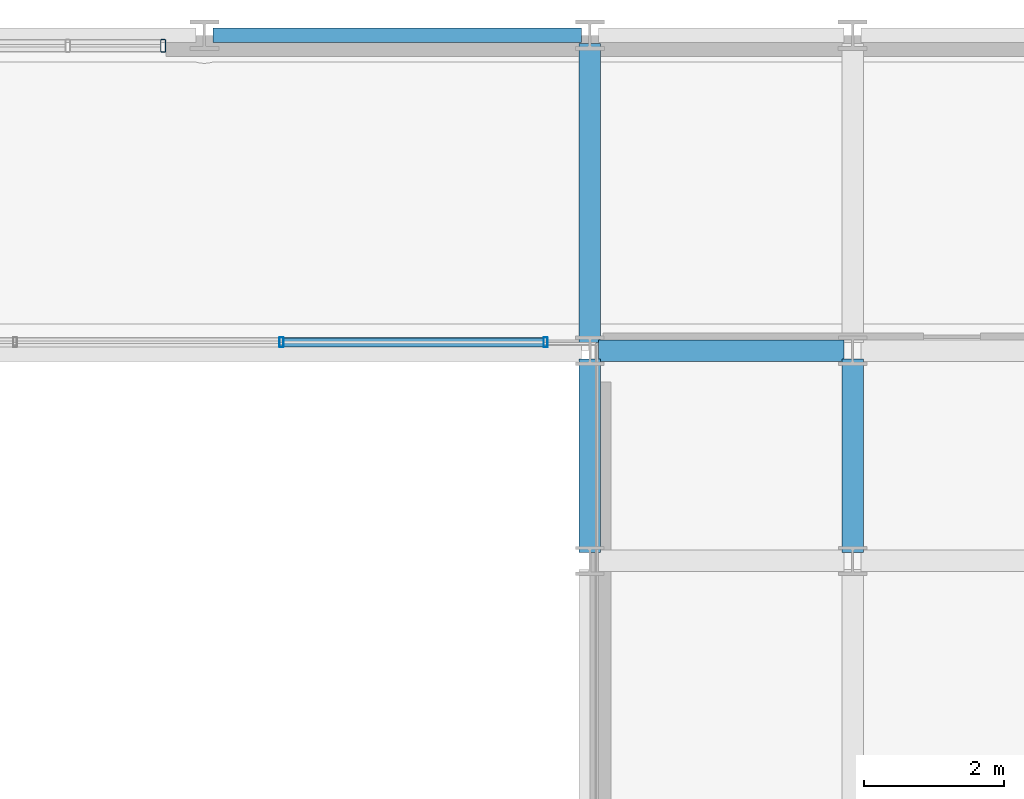
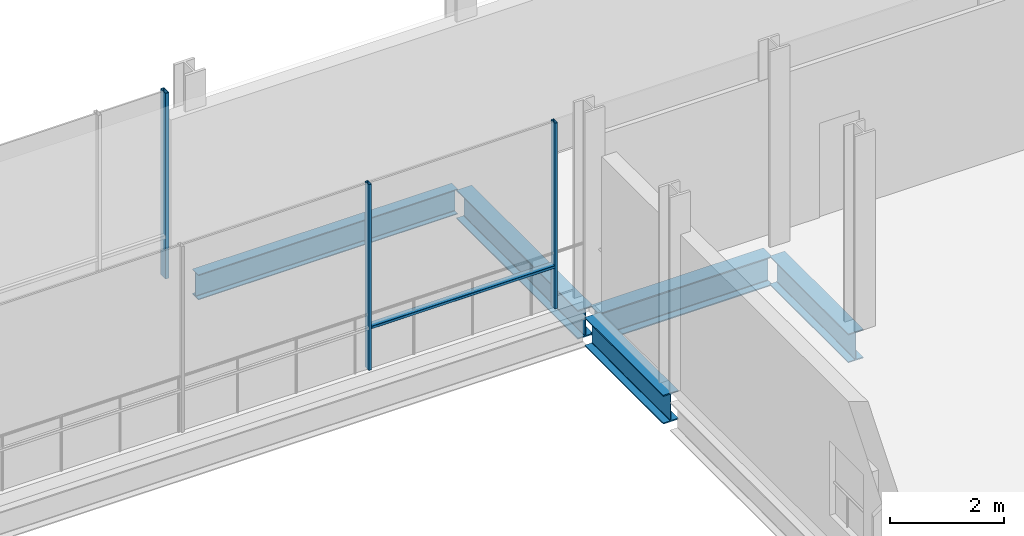
# One storey, part 17 of 32: 5 beams, 4 members, 2 elements without a shape of their own.
"""IFC4 building model written with IfcOpenShell, lengths in metres."""

from ifc_helpers import new_model, si_unit, direction, frame, origin, origin_2d, place, context, subcontext, project, spatial, hollow_rectangle, i_section, extrude, material, layer, layer_set, material_profile, profile_set, type_object, element, aggregate, save


model = new_model("IFC4")

# Units and contexts
model_context = context("Model", 3, precision=1e-05, world=origin(), true_north=direction((0.0, 1.0)))
body_context = subcontext(model_context, "Body", "Model", "MODEL_VIEW")
ifc_project = project(units=[si_unit("LENGTHUNIT", "METRE"), si_unit("AREAUNIT", "SQUARE_METRE"), si_unit("VOLUMEUNIT", "CUBIC_METRE"), si_unit("PLANEANGLEUNIT", "RADIAN"), si_unit("MASSUNIT", "GRAM", prefix="KILO")], contexts=[model_context])

# Site, building, storey
site_placement = place(None, origin())
site = spatial("IfcSite", under=ifc_project, at=site_placement, CompositionType="ELEMENT")
building_placement = place(site_placement, origin())
building = spatial("IfcBuilding", under=site, at=building_placement, Name="Brevholm Reach", CompositionType="ELEMENT")
storey_placement = place(building_placement, frame((0.0, 0.0, 134.5)))
storey = spatial("IfcBuildingStorey", under=building, at=storey_placement, Name="L40", CompositionType="ELEMENT", Elevation=134.5)

# Beams
ifc_material_1 = material(Name="Structural Steel S355J2", Category="steel")
ifc_material_profile_1 = material_profile(ifc_material_1, i_section(OverallWidth=0.210693359375, OverallDepth=0.53955078125, WebThickness=0.01171875, FlangeThickness=0.018798828125, FilletRadius=0.0126953125, at=origin_2d()), Name="UKB 533x210x109")
ifc_profile_set_1 = profile_set([ifc_material_profile_1], Name="Structural Steel S355J2")
beam_type_1 = type_object("IfcBeamType", Name="BM-SP539", PredefinedType="SPANDREL", material=ifc_profile_set_1)
beam_1_placement = place(storey_placement, frame((32.8701171875, 31.0, -0.519775390625), z_axis=(1.0, 0.0, 0.0), x_axis=(0.0, 1.0, 0.0)))
element("IfcBeam", 1, at=beam_1_placement, inside=storey, type_object=beam_type_1, Name="L40 SP-01B Framing Beam", PredefinedType="SPANDREL", context=body_context, shape_type="SweptSolid", body=[
    extrude(i_section(OverallWidth=0.210693359375, OverallDepth=0.53955078125, WebThickness=0.01171875, FlangeThickness=0.018798828125, FilletRadius=0.0126953125, at=origin_2d()), origin(), (0.0, 0.0, 1.0), 5.259765625),
])
ifc_material_2 = material(Name="Structural Steel S355J2", Category="steel")
ifc_material_profile_2 = material_profile(ifc_material_2, i_section(OverallWidth=0.30712890625, OverallDepth=0.6201171875, WebThickness=0.01416015625, FlangeThickness=0.023681640625, FilletRadius=0.0166015625, at=origin_2d()), Name="UKB 610x305x179")
ifc_profile_set_2 = profile_set([ifc_material_profile_2], Name="Structural Steel S355J2")
beam_type_2 = type_object("IfcBeamType", Name="BM-UKB610H", PredefinedType="USERDEFINED", material=ifc_profile_set_2)
beam_2_placement = place(storey_placement, frame((38.3701171875, 26.5, -0.56005859375), z_axis=(1.0, 0.0, 0.0), x_axis=(0.0, 1.0, 0.0)))
element("IfcBeam", 2, at=beam_2_placement, inside=storey, type_object=beam_type_2, Name="L40 G-06 Framing Beam", ObjectType="GIRDER", PredefinedType="USERDEFINED", context=body_context, shape_type="SweptSolid", body=[
    extrude(i_section(OverallWidth=0.30712890625, OverallDepth=0.6201171875, WebThickness=0.01416015625, FlangeThickness=0.023681640625, FilletRadius=0.0166015625, at=origin_2d()), origin(), (0.0, 0.0, 1.0), 3.509765625),
])
beam_3_placement = place(storey_placement, frame((38.25, 23.6201171875, -0.56005859375), z_axis=(0.0, 1.0, 0.0), x_axis=(-1.0, 0.0, 0.0)))
element("IfcBeam", 3, at=beam_3_placement, inside=storey, type_object=beam_type_2, Name="L40 G-06 Framing Beam", ObjectType="GIRDER", PredefinedType="USERDEFINED", context=body_context, shape_type="SweptSolid", body=[
    extrude(i_section(OverallWidth=0.30712890625, OverallDepth=0.6201171875, WebThickness=0.01416015625, FlangeThickness=0.023681640625, FilletRadius=0.0166015625, at=origin_2d()), origin(), (0.0, 0.0, 1.0), 2.759765625),
])
beam_4_placement = place(storey_placement, frame((38.25, 26.6201171875, -0.56005859375), z_axis=(0.0, 1.0, 0.0), x_axis=(-1.0, 0.0, 0.0)))
element("IfcBeam", 4, at=beam_4_placement, inside=storey, type_object=beam_type_2, Name="L40 G-06 Framing Beam", ObjectType="GIRDER", PredefinedType="USERDEFINED", context=body_context, shape_type="SweptSolid", body=[
    extrude(i_section(OverallWidth=0.30712890625, OverallDepth=0.6201171875, WebThickness=0.01416015625, FlangeThickness=0.023681640625, FilletRadius=0.0166015625, at=origin_2d()), origin(), (0.0, 0.0, 1.0), 4.259765625),
])
beam_5_placement = place(storey_placement, frame((42.0, 23.6201171875, -0.56005859375), z_axis=(0.0, 1.0, 0.0), x_axis=(-1.0, 0.0, 0.0)))
element("IfcBeam", 5, at=beam_5_placement, inside=storey, type_object=beam_type_2, Name="L40 G-06 Framing Beam", ObjectType="GIRDER", PredefinedType="USERDEFINED", context=body_context, shape_type="SweptSolid", body=[
    extrude(i_section(OverallWidth=0.30712890625, OverallDepth=0.6201171875, WebThickness=0.01416015625, FlangeThickness=0.023681640625, FilletRadius=0.0166015625, at=origin_2d()), origin(), (0.0, 0.0, 1.0), 2.759765625),
])

# Curtain wall, members
ifc_material_3 = material(Name="Dark Anodised Aluminium 6063-T6 and Solar-Control Glass", Category="aluminium")
ifc_layer_1 = layer(ifc_material_3, 0.139892578125)
ifc_layer_set_1 = layer_set([ifc_layer_1], Name="Dark Anodised Aluminium 6063-T6 and Solar-Control Glass")
curtain_wall_type_1 = type_object("IfcCurtainWallType", Name="CW-02", PredefinedType="NOTDEFINED", material=ifc_layer_set_1)
curtain_wall_1_placement = place(storey_placement, origin())
curtain_wall_1 = element("IfcCurtainWall", 6, at=curtain_wall_1_placement, inside=storey, type_object=curtain_wall_type_1, Name="L40 Curtain Wall CW-02", PredefinedType="NOTDEFINED")
ifc_material_4 = material(Name="Dark Anodised Aluminium 6063-T6", Category="aluminium")
ifc_material_profile_3 = material_profile(ifc_material_4, hollow_rectangle(XDim=0.06005859375, YDim=0.139892578125, WallThickness=0.0048828125, InnerFilletRadius=0.0048828125, OuterFilletRadius=0.010009765625, at=origin_2d()), Name="RHS 140x60x5")
ifc_profile_set_3 = profile_set([ifc_material_profile_3], Name="Dark Anodised Aluminium 6063-T6")
member_type_1 = type_object("IfcMemberType", Name="CWM-140", PredefinedType="MULLION", material=ifc_profile_set_3)
member_1_placement = place(storey_placement, frame((37.6201171875, 26.6201171875, 0.0), z_axis=(0.0, 0.0, 1.0), x_axis=(-1.0, 0.0, 0.0)))
member_1 = element("IfcMember", 7, at=member_1_placement, type_object=member_type_1, Name="CM-140 Mullion 1", PredefinedType="MULLION", context=body_context, shape_type="SweptSolid", body=[
    extrude(hollow_rectangle(XDim=0.06005859375, YDim=0.139892578125, WallThickness=0.0048828125, InnerFilletRadius=0.0048828125, OuterFilletRadius=0.010009765625, at=origin_2d()), origin(), (0.0, 0.0, 1.0), 3.97998046875),
])
member_2_placement = place(storey_placement, frame((33.85009765625, 26.6201171875, 0.0), z_axis=(0.0, 0.0, 1.0), x_axis=(-1.0, 0.0, 0.0)))
member_2 = element("IfcMember", 8, at=member_2_placement, type_object=member_type_1, Name="CM-140 Mullion 2", PredefinedType="MULLION", context=body_context, shape_type="SweptSolid", body=[
    extrude(hollow_rectangle(XDim=0.06005859375, YDim=0.139892578125, WallThickness=0.0048828125, InnerFilletRadius=0.0048828125, OuterFilletRadius=0.010009765625, at=origin_2d()), origin(), (0.0, 0.0, 1.0), 3.97998046875),
])

# Curtain wall, member
ifc_material_5 = material(Name="Dark Anodised Aluminium 6063-T6 and Solar-Control Glass", Category="aluminium")
ifc_layer_2 = layer(ifc_material_5, 0.179931640625)
ifc_layer_set_2 = layer_set([ifc_layer_2], Name="Dark Anodised Aluminium 6063-T6 and Solar-Control Glass")
curtain_wall_type_2 = type_object("IfcCurtainWallType", Name="CW-05", PredefinedType="NOTDEFINED", material=ifc_layer_set_2)
curtain_wall_2_placement = place(storey_placement, origin())
curtain_wall_2 = element("IfcCurtainWall", 9, at=curtain_wall_2_placement, inside=storey, type_object=curtain_wall_type_2, Name="L40 Curtain Wall CW-05", PredefinedType="NOTDEFINED")
ifc_material_6 = material(Name="Dark Anodised Aluminium 6063-T6", Category="aluminium")
ifc_material_profile_4 = material_profile(ifc_material_6, hollow_rectangle(XDim=0.074951171875, YDim=0.179931640625, WallThickness=0.006103515625, InnerFilletRadius=0.006103515625, OuterFilletRadius=0.011962890625, at=origin_2d()), Name="RHS 180x75x6")
ifc_profile_set_4 = profile_set([ifc_material_profile_4], Name="Dark Anodised Aluminium 6063-T6")
member_type_2 = type_object("IfcMemberType", Name="CWM-180", PredefinedType="MULLION", material=ifc_profile_set_4)
member_3_placement = place(storey_placement, frame((32.16259765625, 30.85009765625, 0.0), z_axis=(0.0, 0.0, 1.0), x_axis=(1.0, 0.0, 0.0)))
member_3 = element("IfcMember", 10, at=member_3_placement, type_object=member_type_2, Name="CM-180 Mullion 3", PredefinedType="MULLION", context=body_context, shape_type="SweptSolid", body=[
    extrude(hollow_rectangle(XDim=0.074951171875, YDim=0.179931640625, WallThickness=0.006103515625, InnerFilletRadius=0.006103515625, OuterFilletRadius=0.011962890625, at=origin_2d()), origin(), (0.0, 0.0, 1.0), 3.97998046875),
])
aggregate(curtain_wall_2, [member_3])

# Member
ifc_material_7 = material(Name="Dark Anodised Aluminium 6063-T6", Category="aluminium")
ifc_material_profile_5 = material_profile(ifc_material_7, hollow_rectangle(XDim=0.06005859375, YDim=0.139892578125, WallThickness=0.0048828125, InnerFilletRadius=0.0048828125, OuterFilletRadius=0.010009765625, at=origin_2d()), Name="RHS 140x60x5")
ifc_profile_set_5 = profile_set([ifc_material_profile_5], Name="Dark Anodised Aluminium 6063-T6")
member_type_3 = type_object("IfcMemberType", Name="CWT-140", PredefinedType="NOTDEFINED", material=ifc_profile_set_5)
member_4_placement = place(storey_placement, frame((37.590087890625, 26.6201171875, 0.89990234375), z_axis=(-1.0, 0.0, 0.0), x_axis=(0.0, 0.0, 1.0)))
member_4 = element("IfcMember", 11, at=member_4_placement, type_object=member_type_3, Name="CT-140 Transom 1.1", ObjectType="TRANSOM", PredefinedType="USERDEFINED", context=body_context, shape_type="SweptSolid", body=[
    extrude(hollow_rectangle(XDim=0.06005859375, YDim=0.139892578125, WallThickness=0.0048828125, InnerFilletRadius=0.0048828125, OuterFilletRadius=0.010009765625, at=origin_2d()), origin(), (0.0, 0.0, 1.0), 3.710205078125),
])

aggregate(curtain_wall_1, [member_1, member_2, member_4])

save(model, "model.ifc")
